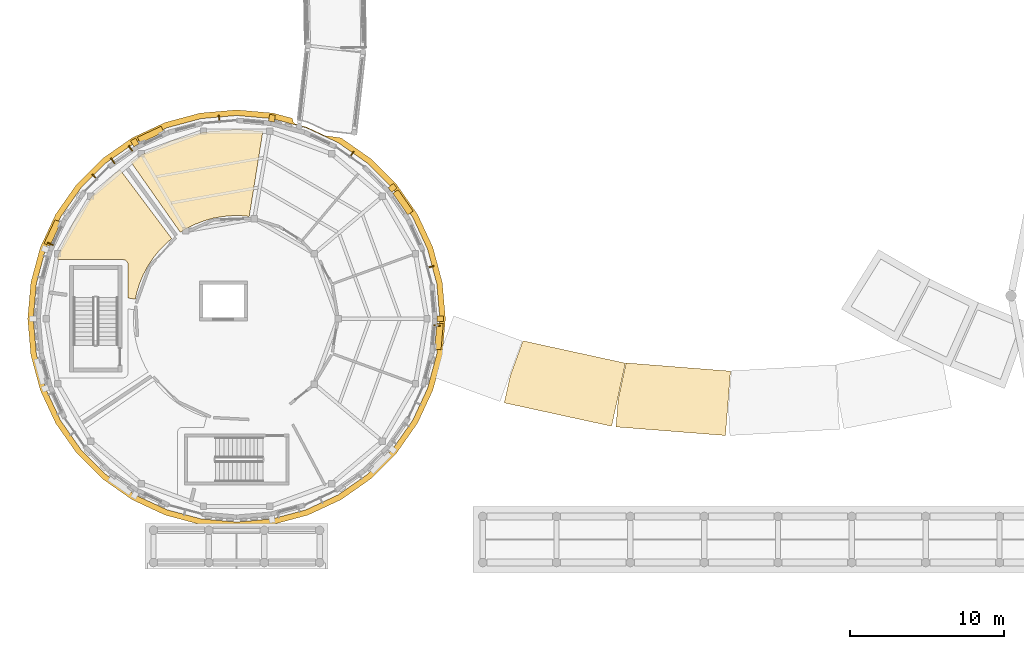
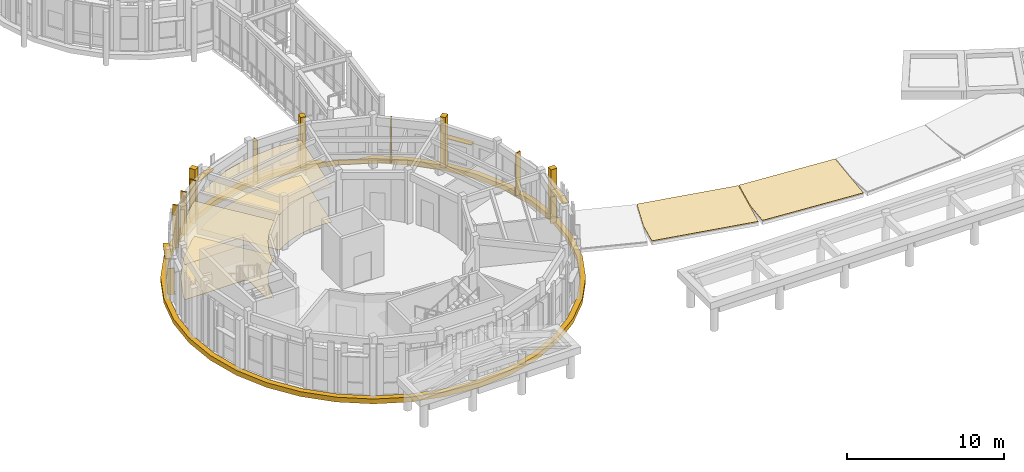
# One storey, part 66 of 80: 12 shading devices, 11 coverings.
"""IFC4 building model written with IfcOpenShell, lengths in metres."""

from ifc_helpers import new_model, si_unit, direction, frame, origin, origin_2d, place, context, subcontext, project, spatial, polyline, rectangle, outline, extrude, material, layer, layer_set, type_object, element, save


model = new_model("IFC4")

# Units and contexts
model_context = context("Model", 3, precision=1e-05, world=origin(), true_north=direction((0.0, 1.0)))
body_context = subcontext(model_context, "Body", "Model", "MODEL_VIEW")
ifc_project = project(units=[si_unit("LENGTHUNIT", "METRE"), si_unit("AREAUNIT", "SQUARE_METRE"), si_unit("VOLUMEUNIT", "CUBIC_METRE"), si_unit("PLANEANGLEUNIT", "RADIAN"), si_unit("MASSUNIT", "GRAM", prefix="KILO")], contexts=[model_context])

# Site, building, storey
site_placement = place(None, origin())
site = spatial("IfcSite", under=ifc_project, at=site_placement, CompositionType="ELEMENT")
building_placement = place(site_placement, origin())
building = spatial("IfcBuilding", under=site, at=building_placement, Name="Aldenvaro Health Centre", CompositionType="ELEMENT")
storey_placement = place(building_placement, frame((0.0, 0.0, 4.550048828125)))
storey = spatial("IfcBuildingStorey", under=building, at=storey_placement, Name="L01", CompositionType="ELEMENT", Elevation=4.550048828125)

# Coverings
ifc_material_1 = material(Name="Antimicrobial Mineral Fibre Ceiling")
ifc_layer_1 = layer(ifc_material_1, 0.01806640625, Name="Antimicrobial Mineral Fibre Ceiling")
ifc_layer_set_1 = layer_set([ifc_layer_1], Name="Antimicrobial Mineral Fibre Ceiling")
covering_type_1 = type_object("IfcCoveringType", Name="COV-CLG-ACT18", PredefinedType="CEILING", material=ifc_layer_set_1)
covering_1_placement = place(storey_placement, frame((0.0, 0.0, 2.75)))
element("IfcCovering", 1, at=covering_1_placement, inside=storey, type_object=covering_type_1, Name="D5-L01-R01 Suspended Ceiling", PredefinedType="CEILING", context=body_context, shape_type="SweptSolid", body=[
    extrude(outline(polyline([(18.929931640625, 25.196044921875), (18.906982421875, 25.197021484375), (18.282958984375, 25.2060546875), (18.260009765625, 25.205078125), (17.638916015625, 25.154052734375), (17.615966796875, 25.15087890625), (17.001953125, 25.0400390625), (16.97900390625, 25.034912109375), (16.37890625, 24.865966796875), (16.35693359375, 24.85791015625), (15.77587890625, 24.632080078125), (15.7548828125, 24.623046875), (15.197998046875, 24.341064453125), (15.177978515625, 24.330078125), (14.844970703125, 24.118896484375), (11.639892578125, 28.677978515625), (12.341064453125, 29.1689453125), (14.287109375, 30.075927734375), (16.361083984375, 30.632080078125), (18.5, 30.819091796875), (20.2060546875, 30.669921875), (19.322021484375, 25.152099609375), (18.929931640625, 25.196044921875)])), origin(), (0.0, 0.0, 1.0), 0.01806640625),
])
covering_2_placement = place(storey_placement, frame((0.0, 0.0, 2.75)))
element("IfcCovering", 2, at=covering_2_placement, inside=storey, type_object=covering_type_1, Name="D5-L01-R02 Suspended Ceiling", PredefinedType="CEILING", context=body_context, shape_type="SweptSolid", body=[
    extrude(outline(polyline([(13.98193359375, 23.4609375), (13.965087890625, 23.445068359375), (13.52490234375, 23.0029296875), (13.510009765625, 22.985107421875), (13.114990234375, 22.5029296875), (13.10107421875, 22.48388671875), (12.7548828125, 21.966064453125), (12.742919921875, 21.946044921875), (12.447998046875, 21.39599609375), (12.43798828125, 21.3759765625), (12.197021484375, 20.800048828125), (12.18896484375, 20.778076171875), (12.0048828125, 20.18310546875), (11.9990234375, 20.159912109375), (11.9189453125, 19.77294921875), (11.43994140625, 19.847900390625), (11.43994140625, 22.02001953125), (11.43994140625, 22.031982421875), (11.43896484375, 22.0400390625), (11.43701171875, 22.06298828125), (11.43603515625, 22.071044921875), (11.430908203125, 22.093994140625), (11.428955078125, 22.10205078125), (11.423095703125, 22.1240234375), (11.419921875, 22.131103515625), (11.410888671875, 22.153076171875), (11.407958984375, 22.159912109375), (11.39599609375, 22.180908203125), (11.39208984375, 22.18798828125), (11.37890625, 22.20703125), (11.375, 22.214111328125), (11.360107421875, 22.23193359375), (11.35400390625, 22.238037109375), (11.337890625, 22.25390625), (11.33203125, 22.260009765625), (11.31396484375, 22.27490234375), (11.306884765625, 22.279052734375), (11.2880859375, 22.2919921875), (11.281005859375, 22.2958984375), (11.260009765625, 22.30810546875), (11.2529296875, 22.31103515625), (11.23095703125, 22.320068359375), (11.22412109375, 22.322998046875), (11.201904296875, 22.3291015625), (11.194091796875, 22.3310546875), (11.1708984375, 22.3359375), (11.1630859375, 22.3369140625), (11.139892578125, 22.339111328125), (11.132080078125, 22.340087890625), (11.1201171875, 22.340087890625), (6.823974609375, 22.340087890625), (6.924072265625, 22.712890625), (7.8310546875, 24.658935546875), (9.06298828125, 26.4189453125), (10.5810546875, 27.93701171875), (10.930908203125, 28.181884765625), (14.285888671875, 23.712890625), (13.98193359375, 23.4609375)])), origin(), (0.0, 0.0, 1.0), 0.01806640625),
])
ifc_material_2 = material(Name="Honed Sonoran Buff Limestone", Category="masonry")
ifc_layer_2 = layer(ifc_material_2, 0.280029296875, Name="Honed Sonoran Buff Limestone", Category="masonry")
ifc_layer_set_2 = layer_set([ifc_layer_2], Name="Honed Sonoran Buff Limestone")
covering_type_2 = type_object("IfcCoveringType", Name="COV-CRN-STN", PredefinedType="CLADDING", material=ifc_layer_set_2)
covering_3_placement = place(storey_placement, frame((0.0, 0.0, -0.340087890625)))
element("IfcCovering", 3, at=covering_3_placement, inside=storey, type_object=covering_type_2, Name="D5 L01 Classical Stone Entablature Cornice 1", PredefinedType="CLADDING", context=body_context, shape_type="SweptSolid", body=[
    extrude(outline(polyline([(25.2900390625, 30.260986328125), (27.22900390625, 28.903076171875), (28.903076171875, 27.22900390625), (30.260986328125, 25.2900390625), (31.260986328125, 23.14501953125), (31.8740234375, 20.85791015625), (32.080078125, 18.5), (31.8740234375, 16.14208984375), (31.260986328125, 13.85498046875), (30.260986328125, 11.7099609375), (28.903076171875, 9.77099609375), (27.22900390625, 8.096923828125), (25.2900390625, 6.739013671875), (23.14501953125, 5.739013671875), (20.85791015625, 5.1259765625), (18.5, 4.919921875), (16.14208984375, 5.1259765625), (13.85498046875, 5.739013671875), (11.7099609375, 6.739013671875), (9.77099609375, 8.096923828125), (8.096923828125, 9.77099609375), (6.739013671875, 11.7099609375), (5.739013671875, 13.85498046875), (5.1259765625, 16.14208984375), (4.919921875, 18.5), (5.1259765625, 20.85791015625), (5.739013671875, 23.14501953125), (6.739013671875, 25.2900390625), (8.096923828125, 27.22900390625), (9.77099609375, 28.903076171875), (11.7099609375, 30.260986328125), (13.85498046875, 31.260986328125), (16.14208984375, 31.8740234375), (18.5, 32.080078125), (20.85791015625, 31.8740234375), (22.14599609375, 31.529052734375), (22.157958984375, 31.31689453125), (22.291015625, 31.175048828125), (23.0380859375, 30.968994140625), (24.2548828125, 30.404052734375), (25.2900390625, 30.260986328125)]), holes=[polyline([(31.513916015625, 20.794921875), (30.91796875, 23.02001953125), (29.945068359375, 25.10693359375), (28.623046875, 26.993896484375), (26.993896484375, 28.623046875), (25.10791015625, 29.945068359375), (23.02001953125, 30.91796875), (20.794921875, 31.513916015625), (18.5, 31.715087890625), (16.205078125, 31.513916015625), (13.97998046875, 30.91796875), (11.89306640625, 29.945068359375), (10.006103515625, 28.623046875), (8.376953125, 26.993896484375), (7.054931640625, 25.10693359375), (6.08203125, 23.02001953125), (5.486083984375, 20.794921875), (5.284912109375, 18.5), (5.486083984375, 16.205078125), (6.08203125, 13.97998046875), (7.054931640625, 11.89208984375), (8.376953125, 10.006103515625), (10.006103515625, 8.376953125), (11.89208984375, 7.054931640625), (13.97998046875, 6.08203125), (16.205078125, 5.486083984375), (18.5, 5.284912109375), (20.794921875, 5.486083984375), (23.02001953125, 6.08203125), (25.10791015625, 7.054931640625), (26.993896484375, 8.376953125), (28.623046875, 10.006103515625), (29.945068359375, 11.89208984375), (30.91796875, 13.97998046875), (31.513916015625, 16.205078125), (31.715087890625, 18.5), (31.513916015625, 20.794921875)])]), origin(), (0.0, 0.0, 1.0), 0.380126953125),
])
for number, where, z_axis, x_axis, name in (
    (4, (31.739990234375, 18.5, -0.00048828125), (0.0, 0.0, 1.0), (1.0, 0.0, 0.0), "D5 L01 Engaged Classical Limestone Pilaster 01"),
    (5, (11.8798828125, 29.966064453125, -0.00048828125), (0.0, 0.0, 1.0), (-0.499990860177, 0.8660306806, 0.0), "D5 L01 Engaged Classical Limestone Pilaster 13"),
    (6, (20.799072265625, 31.5390625, -0.00048828125), (0.0, 0.0, 1.0), (0.173643819888, 0.984808521396, 0.0), "D5 L01 Engaged Classical Limestone Pilaster 15"),
    (7, (28.64208984375, 27.010986328125, -0.00048828125), (0.0, 0.0, 1.0), (0.76604377724, 0.642788403249, 0.0), "D5 L01 Engaged Classical Limestone Pilaster 17"),
):
    element("IfcCovering", number, at=place(storey_placement, frame(where, z_axis=z_axis, x_axis=x_axis)), inside=storey, type_object=covering_type_2, Name=name, PredefinedType="CLADDING", context=body_context, shape_type="SweptSolid", body=[
        extrude(rectangle(XDim=0.43994140625, YDim=0.3798828125, at=origin_2d()), origin(), (0.0, 0.0, 1.0), 3.955078125),
    ])
ifc_material_3 = material(Name="Seamless Homogeneous Sheet Vinyl")
ifc_layer_3 = layer(ifc_material_3, 0.013916015625, Name="Seamless Homogeneous Sheet Vinyl")
ifc_layer_set_3 = layer_set([ifc_layer_3], Name="Seamless Homogeneous Sheet Vinyl")
covering_type_3 = type_object("IfcCoveringType", Name="COV-FLR-VNL14", PredefinedType="FLOORING", material=ifc_layer_set_3)
covering_4_placement = place(storey_placement, origin())
element("IfcCovering", 8, at=covering_4_placement, inside=storey, type_object=covering_type_3, Name="D5-L01-R01 Flooring", PredefinedType="FLOORING", context=body_context, shape_type="SweptSolid", body=[
    extrude(outline(polyline([(18.929931640625, 25.196044921875), (18.906982421875, 25.197021484375), (18.282958984375, 25.2060546875), (18.260009765625, 25.205078125), (17.638916015625, 25.154052734375), (17.615966796875, 25.15087890625), (17.001953125, 25.0400390625), (16.97900390625, 25.034912109375), (16.37890625, 24.865966796875), (16.35693359375, 24.85791015625), (15.77587890625, 24.632080078125), (15.7548828125, 24.623046875), (15.197998046875, 24.341064453125), (15.177978515625, 24.330078125), (14.844970703125, 24.118896484375), (11.639892578125, 28.677978515625), (12.341064453125, 29.1689453125), (14.287109375, 30.075927734375), (16.361083984375, 30.632080078125), (18.5, 30.819091796875), (20.2060546875, 30.669921875), (19.322021484375, 25.152099609375), (18.929931640625, 25.196044921875)])), origin(), (0.0, 0.0, 1.0), 0.013916015625),
])
covering_5_placement = place(storey_placement, origin())
element("IfcCovering", 9, at=covering_5_placement, inside=storey, type_object=covering_type_3, Name="D5-L01-R02 Flooring", PredefinedType="FLOORING", context=body_context, shape_type="SweptSolid", body=[
    extrude(outline(polyline([(13.98193359375, 23.4609375), (13.965087890625, 23.445068359375), (13.52490234375, 23.0029296875), (13.510009765625, 22.985107421875), (13.114990234375, 22.5029296875), (13.10107421875, 22.48388671875), (12.7548828125, 21.966064453125), (12.742919921875, 21.946044921875), (12.447998046875, 21.39599609375), (12.43798828125, 21.3759765625), (12.197021484375, 20.800048828125), (12.18896484375, 20.778076171875), (12.0048828125, 20.18310546875), (11.9990234375, 20.159912109375), (11.9189453125, 19.77294921875), (11.43994140625, 19.847900390625), (11.43994140625, 22.02001953125), (11.43994140625, 22.031982421875), (11.43896484375, 22.0400390625), (11.43701171875, 22.06298828125), (11.43603515625, 22.071044921875), (11.430908203125, 22.093994140625), (11.428955078125, 22.10205078125), (11.423095703125, 22.1240234375), (11.419921875, 22.131103515625), (11.410888671875, 22.153076171875), (11.407958984375, 22.159912109375), (11.39599609375, 22.180908203125), (11.39208984375, 22.18798828125), (11.37890625, 22.20703125), (11.375, 22.214111328125), (11.360107421875, 22.23193359375), (11.35400390625, 22.238037109375), (11.337890625, 22.25390625), (11.33203125, 22.260009765625), (11.31396484375, 22.27490234375), (11.306884765625, 22.279052734375), (11.2880859375, 22.2919921875), (11.281005859375, 22.2958984375), (11.260009765625, 22.30810546875), (11.2529296875, 22.31103515625), (11.23095703125, 22.320068359375), (11.22412109375, 22.322998046875), (11.201904296875, 22.3291015625), (11.194091796875, 22.3310546875), (11.1708984375, 22.3359375), (11.1630859375, 22.3369140625), (11.139892578125, 22.339111328125), (11.132080078125, 22.340087890625), (11.1201171875, 22.340087890625), (6.823974609375, 22.340087890625), (6.924072265625, 22.712890625), (7.8310546875, 24.658935546875), (9.06298828125, 26.4189453125), (10.5810546875, 27.93701171875), (10.930908203125, 28.181884765625), (14.285888671875, 23.712890625), (13.98193359375, 23.4609375)])), origin(), (0.0, 0.0, 1.0), 0.013916015625),
])
ifc_material_4 = material(Name="TPO Reflective Cool Roof Membrane")
ifc_layer_4 = layer(ifc_material_4, 0.030029296875, Name="TPO Reflective Cool Roof Membrane")
ifc_layer_set_4 = layer_set([ifc_layer_4], Name="TPO Reflective Cool Roof Membrane")
covering_type_4 = type_object("IfcCoveringType", Name="COV-RF-MEM", PredefinedType="ROOFING", material=ifc_layer_set_4)
covering_6_placement = place(storey_placement, frame((0.0, 0.0, 0.06005859375)))
element("IfcCovering", 10, at=covering_6_placement, inside=storey, type_object=covering_type_4, Name="South West Curved Peristyle Walkway Arc 2 flat roof Cool Limestone Ballast Membrane", PredefinedType="ROOFING", context=body_context, shape_type="SweptSolid", body=[
    extrude(outline(polyline([(43.779052734375, 15.614990234375), (42.883056640625, 11.510986328125), (35.905029296875, 13.032958984375), (36.2900390625, 14.797119140625), (37.12109375, 17.06689453125), (43.779052734375, 15.614990234375)])), origin(), (0.0, 0.0, 1.0), 0.02978515625),
])
covering_7_placement = place(storey_placement, frame((0.0, 0.0, 0.06005859375)))
element("IfcCovering", 11, at=covering_7_placement, inside=storey, type_object=covering_type_4, Name="South West Curved Peristyle Walkway Arc 3 flat roof Cool Limestone Ballast Membrane", PredefinedType="ROOFING", context=body_context, shape_type="SweptSolid", body=[
    extrude(outline(polyline([(50.614990234375, 15.096923828125), (50.284912109375, 10.908935546875), (43.166015625, 11.468994140625), (43.30810546875, 13.27001953125), (43.822998046875, 15.631103515625), (50.614990234375, 15.096923828125)])), origin(), (0.0, 0.0, 1.0), 0.02978515625),
])

# Shading devices
ifc_material_5 = material(Name="Douglas Fir Exterior Glulam GL28h", Category="wood")
shading_device_type_1 = type_object("IfcShadingDeviceType", Name="SHD-FIN-205", PredefinedType="USERDEFINED", material=ifc_material_5)
for number, where, z_axis, x_axis, name in (
    (12, (31.5380859375, 18.06591796875, -0.02001953125), (0.0, 0.0, 1.0), (-0.087166950289, -0.996193717495, 0.0), "D5 L01 Douglas fir fin 1.1"),
    (13, (6.39697265625, 23.366943359375, -0.02001953125), (0.0, 0.0, 1.0), (0.422495879545, 0.906364844733, 0.0), "D5 L01 Douglas fir fin 21.1"),
):
    element("IfcShadingDevice", number, at=place(storey_placement, frame(where, z_axis=z_axis, x_axis=x_axis)), inside=storey, type_object=shading_device_type_1, Name=name, ObjectType="FIN", PredefinedType="USERDEFINED", context=body_context, shape_type="SweptSolid", body=[
        extrude(rectangle(XDim=0.06494140625, YDim=0.419921875, at=origin_2d()), origin(), (0.0, 0.0, 1.0), 2.050048828125),
    ])
shading_device_type_2 = type_object("IfcShadingDeviceType", Name="SHD-FIN-340", PredefinedType="USERDEFINED", material=ifc_material_5)
for number, where, z_axis, x_axis, name in (
    (14, (10.451904296875, 28.76611328125, -0.01953125), (0.0, 0.0, 1.0), (0.819106553991, 0.573641397746, 0.0), "D5 L01 Douglas fir fin 24.1"),
    (15, (11.60595703125, 29.573974609375, -0.01953125), (0.0, 0.0, 1.0), (0.819106553991, 0.573641397746, 0.0), "D5 L01 Douglas fir fin 24.3"),
):
    element("IfcShadingDevice", number, at=place(storey_placement, frame(where, z_axis=z_axis, x_axis=x_axis)), inside=storey, type_object=shading_device_type_2, Name=name, ObjectType="FIN", PredefinedType="USERDEFINED", context=body_context, shape_type="SweptSolid", body=[
        extrude(rectangle(XDim=0.074951171875, YDim=0.419921875, at=origin_2d()), origin(), (0.0, 0.0, 1.0), 3.34912109375),
    ])
shading_device_type_3 = type_object("IfcShadingDeviceType", Name="SHD-FIN-380", PredefinedType="USERDEFINED", material=ifc_material_5)
for number, where, z_axis, x_axis, name in (
    (16, (9.264892578125, 27.735107421875, -0.01953125), (0.0, 0.0, 1.0), (0.707106781187, 0.707106781187, 0.0), "D5 L01 vertical timber fin 23.0"),
    (17, (31.115966796875, 21.8798828125, -0.01953125), (0.0, 0.0, 1.0), (0.258825000966, -0.9659242304, 0.0), "D5 L01 vertical timber fin 35.0"),
):
    element("IfcShadingDevice", number, at=place(storey_placement, frame(where, z_axis=z_axis, x_axis=x_axis)), inside=storey, type_object=shading_device_type_3, Name=name, ObjectType="FIN", PredefinedType="USERDEFINED", context=body_context, shape_type="SweptSolid", body=[
        extrude(rectangle(XDim=0.074951171875, YDim=0.419921875, at=origin_2d()), origin(), (0.0, 0.0, 1.0), 3.34912109375),
    ])
shading_device_type_4 = type_object("IfcShadingDeviceType", Name="SHD-FIN-420", PredefinedType="USERDEFINED", material=ifc_material_5)
shading_device_1_placement = place(storey_placement, frame((17.362060546875, 31.510986328125, -0.01953125), z_axis=(0.0, 0.0, 1.0), x_axis=(0.996193717495, 0.087166950289, 0.0)))
element("IfcShadingDevice", 18, at=shading_device_1_placement, inside=storey, type_object=shading_device_type_4, Name="D5 L01 vertical timber fin 27.0", ObjectType="FIN", PredefinedType="USERDEFINED", context=body_context, shape_type="SweptSolid", body=[
    extrude(rectangle(XDim=0.06494140625, YDim=0.419921875, at=origin_2d()), origin(), (0.0, 0.0, 1.0), 3.34912109375),
])
shading_device_type_5 = type_object("IfcShadingDeviceType", Name="SHD-FIN-455", PredefinedType="USERDEFINED", material=ifc_material_5)
shading_device_2_placement = place(storey_placement, frame((25.990966796875, 29.198974609375, -0.01953125), z_axis=(0.0, 0.0, 1.0), x_axis=(0.819106553991, -0.573641397746, 0.0)))
element("IfcShadingDevice", 19, at=shading_device_2_placement, inside=storey, type_object=shading_device_type_5, Name="D5 L01 vertical timber fin 31.0", ObjectType="FIN", PredefinedType="USERDEFINED", context=body_context, shape_type="SweptSolid", body=[
    extrude(rectangle(XDim=0.06494140625, YDim=0.419921875, at=origin_2d()), origin(), (0.0, 0.0, 1.0), 3.34912109375),
])
shading_device_type_6 = type_object("IfcShadingDeviceType", Name="SHD-LVR-170", PredefinedType="JALOUSIE", material=ifc_material_5)
for number, where, z_axis, x_axis, name in (
    (20, (31.656005859375, 17.34912109375, 2.39990234375), (0.0, 0.0, 1.0), (-0.087166950289, -0.996193717495, 0.0), "D5 L01 horizontal solar louvre 01"),
    (21, (6.531005859375, 24.0810546875, 2.849853515625), (0.0, 0.0, 1.0), (0.422495879545, 0.906364844733, 0.0), "D5 L01 horizontal solar louvre 21"),
    (22, (12.9189453125, 30.468994140625, 2.699951171875), (0.0, 0.0, 1.0), (0.906364844733, 0.422495879545, 0.0), "D5 L01 horizontal solar louvre 25"),
    (23, (29.318115234375, 26.074951171875, 2.2998046875), (0.0, 0.0, 1.0), (0.573641397746, -0.819106553991, 0.0), "D5 L01 horizontal solar louvre 33"),
):
    element("IfcShadingDevice", number, at=place(storey_placement, frame(where, z_axis=z_axis, x_axis=x_axis)), inside=storey, type_object=shading_device_type_6, Name=name, PredefinedType="JALOUSIE", context=body_context, shape_type="SweptSolid", body=[
        extrude(rectangle(XDim=1.699951171875, YDim=0.419921875, at=origin_2d()), origin(), (0.0, 0.0, 1.0), 0.06005859375),
    ])

save(model, "model.ifc")
